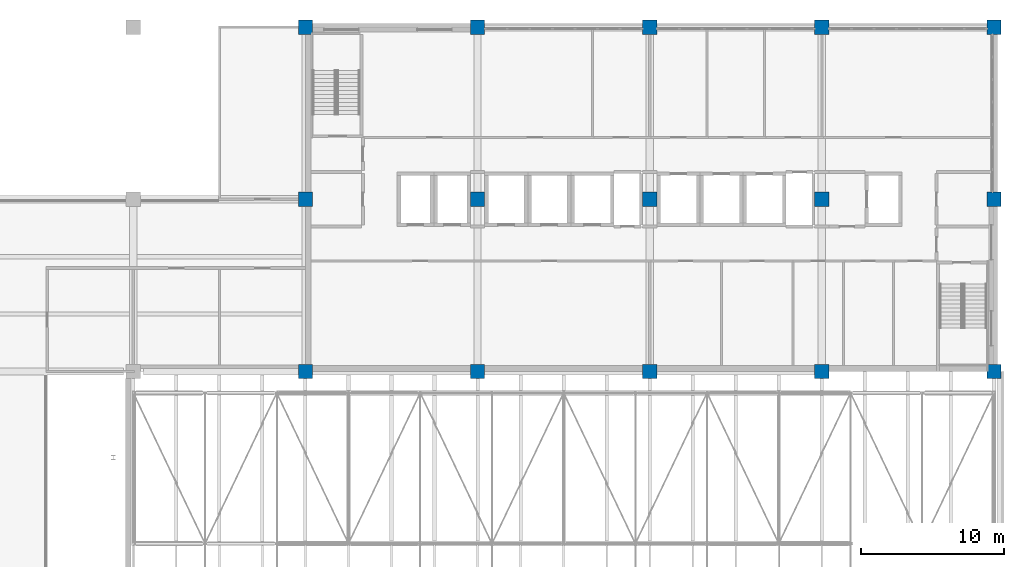
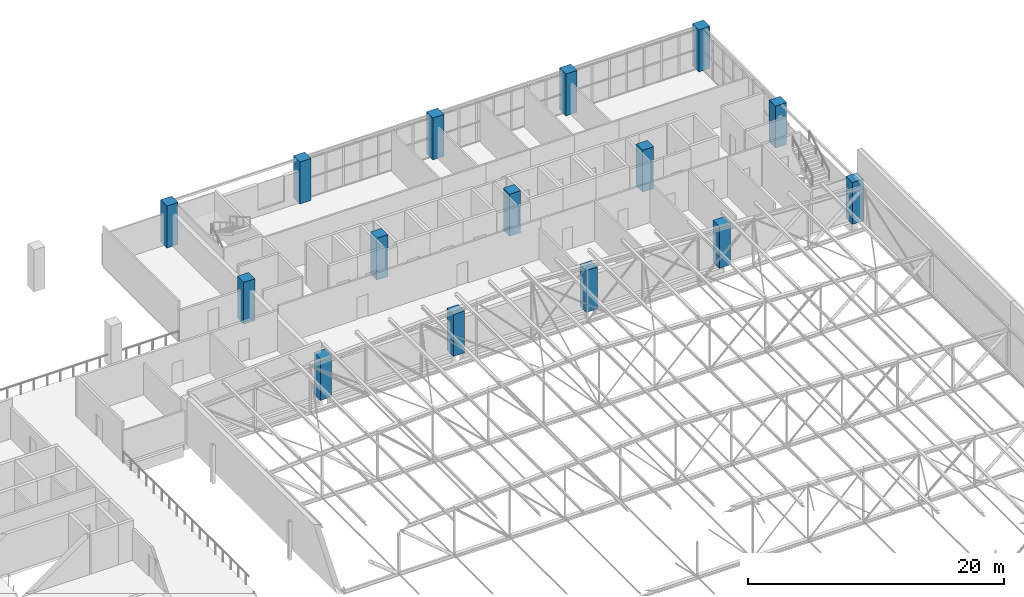
# One storey, part 7 of 156: 15 columns.
"""IFC4 building model written with IfcOpenShell, lengths in metres."""

from ifc_helpers import new_model, si_unit, direction, frame, origin, origin_2d, place, context, subcontext, project, spatial, rectangle, extrude, material, material_profile, profile_set, type_object, element, save


model = new_model("IFC4")

# Units and contexts
model_context = context("Model", 3, precision=1e-05, world=origin(), true_north=direction((0.0, 1.0)))
body_context = subcontext(model_context, "Body", "Model", "MODEL_VIEW")
ifc_project = project(units=[si_unit("LENGTHUNIT", "METRE"), si_unit("AREAUNIT", "SQUARE_METRE"), si_unit("VOLUMEUNIT", "CUBIC_METRE"), si_unit("PLANEANGLEUNIT", "RADIAN"), si_unit("MASSUNIT", "GRAM", prefix="KILO")], contexts=[model_context])

# Site, building, storey
site_placement = place(None, origin())
site = spatial("IfcSite", under=ifc_project, at=site_placement, CompositionType="ELEMENT")
building_placement = place(site_placement, origin())
building = spatial("IfcBuilding", under=site, at=building_placement, Name="Lilac Gate Convention Centre", CompositionType="ELEMENT")
storey_placement = place(building_placement, frame((0.0, 0.0, 17.0)))
storey = spatial("IfcBuildingStorey", under=building, at=storey_placement, Name="L03", CompositionType="ELEMENT", Elevation=17.0)

# Columns
ifc_material = material(Name="Concrete C50", Category="concrete")
ifc_material_profile = material_profile(ifc_material, rectangle(XDim=1.0, YDim=1.0, at=origin_2d()), Name="RC 1000x1000")
ifc_profile_set = profile_set([ifc_material_profile], Name="Concrete C50")
column_type = type_object("IfcColumnType", Name="RC tower column 1000x1000 C50", PredefinedType="COLUMN", material=ifc_profile_set)
for number, where, z_axis, x_axis, name in (
    (1, (42.0, 222.0, 0.0), (0.0, 0.0, 1.0), (1.0, 0.0, 0.0), "C3 L03 at 4/S"),
    (2, (42.0, 234.0, 0.0), (0.0, 0.0, 1.0), (1.0, 0.0, 0.0), "C3 L03 at 4/T"),
    (3, (42.0, 246.0, 0.0), (0.0, 0.0, 1.0), (1.0, 0.0, 0.0), "C3 L03 at 4/U"),
    (4, (54.0, 222.0, 0.0), (0.0, 0.0, 1.0), (1.0, 0.0, 0.0), "C3 L03 at 5/S"),
    (5, (54.0, 234.0, 0.0), (0.0, 0.0, 1.0), (1.0, 0.0, 0.0), "C3 L03 at 5/T"),
    (6, (54.0, 246.0, 0.0), (0.0, 0.0, 1.0), (1.0, 0.0, 0.0), "C3 L03 at 5/U"),
    (7, (66.0, 222.0, 0.0), (0.0, 0.0, 1.0), (1.0, 0.0, 0.0), "C3 L03 at 6/S"),
    (8, (66.0, 234.0, 0.0), (0.0, 0.0, 1.0), (1.0, 0.0, 0.0), "C3 L03 at 6/T"),
    (9, (66.0, 246.0, 0.0), (0.0, 0.0, 1.0), (1.0, 0.0, 0.0), "C3 L03 at 6/U"),
    (10, (78.0, 222.0, 0.0), (0.0, 0.0, 1.0), (1.0, 0.0, 0.0), "C3 L03 at 7/S"),
    (11, (78.0, 234.0, 0.0), (0.0, 0.0, 1.0), (1.0, 0.0, 0.0), "C3 L03 at 7/T"),
    (12, (78.0, 246.0, 0.0), (0.0, 0.0, 1.0), (1.0, 0.0, 0.0), "C3 L03 at 7/U"),
    (13, (90.0, 222.0, 0.0), (0.0, 0.0, 1.0), (1.0, 0.0, 0.0), "C3 L03 at 8/S"),
    (14, (90.0, 234.0, 0.0), (0.0, 0.0, 1.0), (1.0, 0.0, 0.0), "C3 L03 at 8/T"),
    (15, (90.0, 246.0, 0.0), (0.0, 0.0, 1.0), (1.0, 0.0, 0.0), "C3 L03 at 8/U"),
):
    element("IfcColumn", number, at=place(storey_placement, frame(where, z_axis=z_axis, x_axis=x_axis)), inside=storey, type_object=column_type, Name=name, PredefinedType="COLUMN", context=body_context, shape_type="SweptSolid", body=[
        extrude(rectangle(XDim=1.0, YDim=1.0, at=origin_2d()), origin(), (0.0, 0.0, 1.0), 4.0),
    ])

save(model, "model.ifc")
